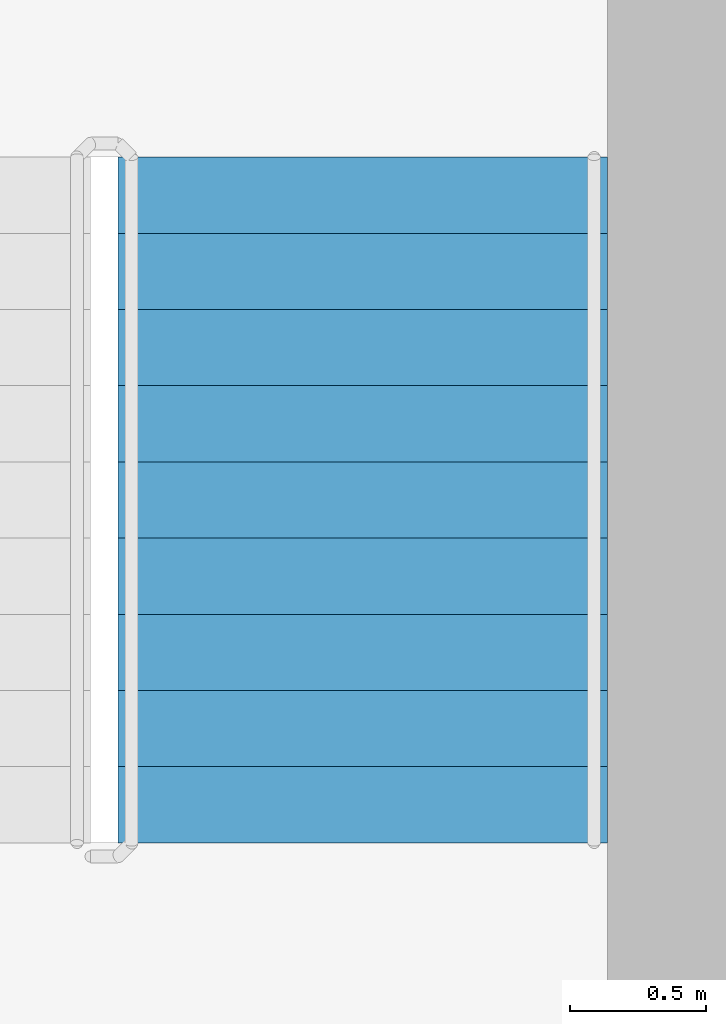
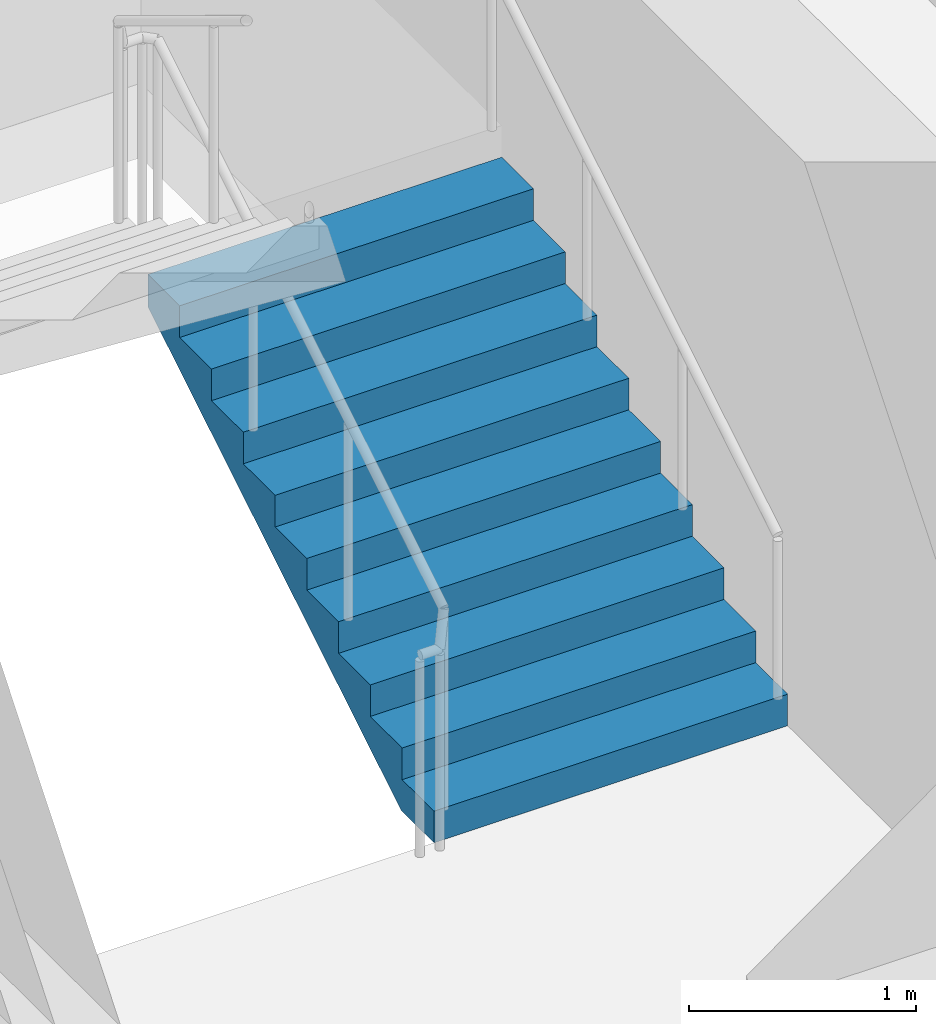
# One storey, part 11 of 13: 1 stair flight, 1 element without a shape of its own.
"""IFC4 building model written with IfcOpenShell, lengths in metres."""

import ifcopenshell
import ifcopenshell.guid

model = None  # the IFC model being written
_history = None  # IfcOwnerHistory: only IFC2X3 demands one
_inside = {}  # id of a spatial element -> (the spatial element, [elements in it])
_under = {}  # id of a project, library or spatial element -> (it, [spatial elements below it])
_declared = {}  # id of a project -> (the project, [libraries it declares])
_typed = {}  # id of a type object -> (the type object, [elements of that type])
_made_of = {}  # id of a material, layer set ... -> (it, [elements and type objects made of it])


def new_model(schema):
    """Start an empty IFC model of exactly this schema.

    Asked for "IFC4X3", IfcOpenShell would pick the latest addendum, in which some entities
    have other attributes; the version numbers below select the first issue.
    IFC2X3 requires an IfcOwnerHistory on every rooted entity: one is made here for all.
    """
    global model, _history
    if schema == "IFC4X3":
        model = ifcopenshell.file(schema_version=(4, 3, 0, 0))
    else:
        model = ifcopenshell.file(schema=schema)
    _inside.clear()
    _under.clear()
    _declared.clear()
    _typed.clear()
    _made_of.clear()
    _history = None
    if model.schema == "IFC2X3":
        org = make("IfcOrganization", Name="unknown")
        user = make(
            "IfcPersonAndOrganization",
            ThePerson=make("IfcPerson", FamilyName="unknown"),
            TheOrganization=org,
        )
        app = make(
            "IfcApplication",
            ApplicationDeveloper=org,
            Version="unknown",
            ApplicationFullName="unknown",
            ApplicationIdentifier="unknown",
        )
        _history = make(
            "IfcOwnerHistory",
            OwningUser=user,
            OwningApplication=app,
            ChangeAction="ADDED",
            CreationDate=0,
        )
    return model


def make(cls, **values):
    """One entity of the class cls with the attributes given. An attribute that is None is left unset."""
    return model.create_entity(
        cls, **{name: value for name, value in values.items() if value is not None}
    )


def rooted(cls, **values):
    """An entity with a GlobalId (a new one), such as an element, a storey or a relation."""
    return make(cls, GlobalId=ifcopenshell.guid.new(), OwnerHistory=_history, **values)


def si_unit(unit_type, name, prefix=None):
    """IfcSIUnit, for example si_unit("LENGTHUNIT", "METRE", prefix="MILLI")."""
    return make("IfcSIUnit", UnitType=unit_type, Prefix=prefix, Name=name)


def assignment(units):
    """IfcUnitAssignment: the units of a project."""
    return None if units is None else make("IfcUnitAssignment", Units=units)


def point(xyz):
    """IfcCartesianPoint."""
    return None if xyz is None else make("IfcCartesianPoint", Coordinates=xyz)


def direction(xyz):
    """IfcDirection."""
    return None if xyz is None else make("IfcDirection", DirectionRatios=xyz)


def frame(location, z_axis=None, x_axis=None):
    """IfcAxis2Placement3D, a coordinate frame: its origin and axes. An axis left out is left unset."""
    return make(
        "IfcAxis2Placement3D",
        Location=point(location),
        Axis=direction(z_axis),
        RefDirection=direction(x_axis),
    )


def origin():
    """The frame at (0, 0, 0) with its axes left unset."""
    return frame((0.0, 0.0, 0.0))


def place(relative_to, where):
    """IfcLocalPlacement: puts the frame where relative to a parent placement (None: the world)."""
    return make(
        "IfcLocalPlacement", PlacementRelTo=relative_to, RelativePlacement=where
    )


def context(
    kind, dimensions, precision=None, world=None, true_north=None, identifier=None
):
    """IfcGeometricRepresentationContext, for example the 3D "Model" context."""
    return make(
        "IfcGeometricRepresentationContext",
        ContextIdentifier=identifier,
        ContextType=kind,
        CoordinateSpaceDimension=dimensions,
        Precision=precision,
        WorldCoordinateSystem=world,
        TrueNorth=true_north,
    )


def subcontext(parent, identifier, kind, view, scale=None):
    """IfcGeometricRepresentationSubContext, for example "Body" below "Model"."""
    return make(
        "IfcGeometricRepresentationSubContext",
        ContextIdentifier=identifier,
        ContextType=kind,
        ParentContext=parent,
        TargetScale=scale,
        TargetView=view,
    )


def project(units=None, contexts=None):
    """IfcProject with its units and contexts."""
    return rooted(
        "IfcProject",
        Name="project",
        RepresentationContexts=contexts,
        UnitsInContext=assignment(units),
    )


def spatial(cls, under=None, at=None, **own):
    """A site, building, storey or space (cls), placed at a placement, below another one or the project."""
    s = rooted(cls, ObjectPlacement=at, **own)
    if under is not None:
        _under.setdefault(under.id(), (under, []))[1].append(s)
    return s


def point_list(points):
    """IfcCartesianPointList2D or 3D."""
    cls = (
        "IfcCartesianPointList2D" if len(points[0]) == 2 else "IfcCartesianPointList3D"
    )
    return make(cls, CoordList=points)


def triangles(points, corners, closed=None, point_numbers=None):
    """IfcTriangulatedFaceSet: each triangle names its three corners, points numbered from 1."""
    return make(
        "IfcTriangulatedFaceSet",
        Coordinates=point_list(points),
        Closed=closed,
        CoordIndex=corners,
        PnIndex=point_numbers,
    )


def shape(context_of_items, identifier, shape_type, items):
    """IfcShapeRepresentation: the items that make up one representation, for example the "Body"."""
    return make(
        "IfcShapeRepresentation",
        ContextOfItems=context_of_items,
        RepresentationIdentifier=identifier,
        RepresentationType=shape_type,
        Items=items,
    )


def source(mapping_origin, context_of_items, identifier, shape_type, items):
    """IfcRepresentationMap: a shape defined once, which mapped items show again and again."""
    return make(
        "IfcRepresentationMap",
        MappingOrigin=mapping_origin,
        MappedRepresentation=shape(context_of_items, identifier, shape_type, items),
    )


def transform(
    local_origin,
    x_axis=None,
    y_axis=None,
    z_axis=None,
    scale=None,
    scale2=None,
    scale3=None,
    uniform=True,
):
    """IfcCartesianTransformationOperator3D, or its non-uniform kind. x_axis, y_axis, z_axis: its Axis1, 2, 3."""
    if uniform:
        return make(
            "IfcCartesianTransformationOperator3D",
            Axis1=direction(x_axis),
            Axis2=direction(y_axis),
            LocalOrigin=point(local_origin),
            Scale=scale,
            Axis3=direction(z_axis),
        )
    return make(
        "IfcCartesianTransformationOperator3DnonUniform",
        Axis1=direction(x_axis),
        Axis2=direction(y_axis),
        LocalOrigin=point(local_origin),
        Scale=scale,
        Axis3=direction(z_axis),
        Scale2=scale2,
        Scale3=scale3,
    )


def mapped(mapping_source, mapping_target):
    """IfcMappedItem: shows the shape of a source again, moved by a transform."""
    return make(
        "IfcMappedItem", MappingSource=mapping_source, MappingTarget=mapping_target
    )


def material(Name=None, Category=None):
    """IfcMaterial."""
    return make("IfcMaterial", Name=Name, Category=Category)


def made_of(thing, what):
    """Note that an element or type object is made of a material, layer set ...; save() writes the relation."""
    if what is not None:
        _made_of.setdefault(what.id(), (what, []))[1].append(thing)
    return thing


def type_object(cls, material=None, **own):
    """A type object (cls), such as IfcWallType, which elements share."""
    return made_of(rooted(cls, **own), material)


def element(
    cls,
    number,
    at=None,
    inside=None,
    cuts=None,
    type_object=None,
    material=None,
    context=None,
    identifier="Body",
    shape_type=None,
    held_by="IfcProductDefinitionShape",
    body=None,
    shapes=None,
    **own,
):
    """One element of the class cls, such as IfcWall. Its Tag is "e" and its number.

    at: its placement. inside: the storey or other place that contains it. cuts: it is an
    opening in that element (IfcRelVoidsElement). A single representation is given by context,
    identifier, shape_type and body (its items); several are given by shapes. held_by: the class
    of the entity that holds the representations. save() writes the other relations.
    """
    e = rooted(cls, Tag="e%d" % number, ObjectPlacement=at, **own)
    if body is not None:
        shapes = [shape(context, identifier, shape_type, body)]
    if shapes is not None:
        e.Representation = make(held_by, Representations=shapes)
    if inside is not None:
        _inside.setdefault(inside.id(), (inside, []))[1].append(e)
    if cuts is not None:
        rooted(
            "IfcRelVoidsElement", RelatingBuildingElement=cuts, RelatedOpeningElement=e
        )
    if type_object is not None:
        _typed.setdefault(type_object.id(), (type_object, []))[1].append(e)
    return made_of(e, material)


def aggregate(whole, parts):
    """IfcRelAggregates: a whole, such as a stair, and the parts it consists of."""
    return rooted("IfcRelAggregates", RelatingObject=whole, RelatedObjects=parts)


def save(model, path):
    """Write the relations noted so far, then the file.

    IfcRelAggregates (storeys below a building ...), IfcRelContainedInSpatialStructure (elements
    in a storey), IfcRelDefinesByType, IfcRelAssociatesMaterial and IfcRelDeclares: one each for
    every whole, place, type object, material and project.
    """
    for whole, parts in _under.values():
        aggregate(whole, parts)
    for where, things in _inside.values():
        rooted(
            "IfcRelContainedInSpatialStructure",
            RelatedElements=things,
            RelatingStructure=where,
        )
    for kind, things in _typed.values():
        rooted("IfcRelDefinesByType", RelatedObjects=things, RelatingType=kind)
    for what, things in _made_of.values():
        rooted("IfcRelAssociatesMaterial", RelatedObjects=things, RelatingMaterial=what)
    for by, libraries in _declared.values():
        rooted("IfcRelDeclares", RelatingContext=by, RelatedDefinitions=libraries)
    model.write(path)


model = new_model("IFC4")

# Units and contexts
model_context = context("Model", 3, precision=1e-05, world=origin(), true_north=direction((0.0, 1.0)))
body_context = subcontext(model_context, "Body", "Model", "MODEL_VIEW")
ifc_project = project(units=[si_unit("LENGTHUNIT", "METRE"), si_unit("AREAUNIT", "SQUARE_METRE"), si_unit("VOLUMEUNIT", "CUBIC_METRE"), si_unit("PLANEANGLEUNIT", "RADIAN"), si_unit("MASSUNIT", "GRAM", prefix="KILO")], contexts=[model_context])

# Site, building, storey
site_placement = place(None, origin())
site = spatial("IfcSite", under=ifc_project, at=site_placement, CompositionType="ELEMENT")
building_placement = place(site_placement, origin())
building = spatial("IfcBuilding", under=site, at=building_placement, Name="Kilnfold Tower and Market Hall", CompositionType="ELEMENT")
storey_placement = place(building_placement, frame((0.0, 0.0, 267.0)))
storey = spatial("IfcBuildingStorey", under=building, at=storey_placement, Name="L65", CompositionType="ELEMENT", Elevation=267.0)

# Stair, stair flight
ifc_material_1 = material(Name="Concrete C40/50", Category="concrete")
stair_type = type_object("IfcStairType", Name="CORE STAIR 1800", PredefinedType="HALF_TURN_STAIR", material=ifc_material_1)
stair_placement = place(storey_placement, origin())
stair = element("IfcStair", 1, at=stair_placement, inside=storey, type_object=stair_type, Name="L65 ST2", PredefinedType="HALF_TURN_STAIR")
ifc_material_2 = material(Name="Concrete C40/50", Category="concrete")
stair_flight_type = type_object("IfcStairFlightType", Name="CORE STAIR FLIGHT 1800", PredefinedType="STRAIGHT", material=ifc_material_2)
shared_shape = source(origin(), body_context, "Body", "Tessellation", [
    triangles([(0.0, 0.89990234375, 0.0), (0.0, 0.78759765625, 0.0), (0.0, 0.675048828125, 0.0), (0.0, 0.5625, 0.0), (0.0, 0.449951171875, 0.0), (0.0, 0.33740234375, 0.0), (0.0, 0.22509765625, 0.0), (0.0, 0.112548828125, 0.0), (0.0, 0.0, 0.0), (0.0, -0.112548828125, 0.0), (0.0, -0.22509765625, 0.0), (0.0, -0.33740234375, 0.0), (0.0, -0.449951171875, 0.0), (0.0, -0.5625, 0.0), (0.0, -0.675048828125, 0.0), (0.0, -0.78759765625, 0.0), (0.0, -0.89990234375, 0.0), (0.0, 0.89990234375, 0.169921875), (0.0, 0.78759765625, 0.169921875), (0.0, 0.675048828125, 0.169921875), (0.0, 0.5625, 0.169921875), (0.0, 0.449951171875, 0.169921875), (0.0, 0.33740234375, 0.169921875), (0.0, 0.22509765625, 0.169921875), (0.0, 0.112548828125, 0.169921875), (0.0, 0.0, 0.169921875), (0.0, -0.112548828125, 0.169921875), (0.0, -0.22509765625, 0.169921875), (0.0, -0.33740234375, 0.169921875), (0.0, -0.449951171875, 0.169921875), (0.0, -0.5625, 0.169921875), (0.0, -0.675048828125, 0.169921875), (0.0, -0.78759765625, 0.169921875), (0.0, -0.89990234375, 0.169921875), (0.280029296875, 0.89990234375, 0.169921875), (0.280029296875, 0.78759765625, 0.169921875), (0.280029296875, 0.675048828125, 0.169921875), (0.280029296875, 0.5625, 0.169921875), (0.280029296875, 0.449951171875, 0.169921875), (0.280029296875, 0.33740234375, 0.169921875), (0.280029296875, 0.22509765625, 0.169921875), (0.280029296875, 0.112548828125, 0.169921875), (0.280029296875, 0.0, 0.169921875), (0.280029296875, -0.112548828125, 0.169921875), (0.280029296875, -0.22509765625, 0.169921875), (0.280029296875, -0.33740234375, 0.169921875), (0.280029296875, -0.449951171875, 0.169921875), (0.280029296875, -0.5625, 0.169921875), (0.280029296875, -0.675048828125, 0.169921875), (0.280029296875, -0.78759765625, 0.169921875), (0.280029296875, -0.89990234375, 0.169921875), (0.280029296875, 0.89990234375, 0.340087890625), (0.280029296875, 0.78759765625, 0.340087890625), (0.280029296875, 0.675048828125, 0.340087890625), (0.280029296875, 0.5625, 0.340087890625), (0.280029296875, 0.449951171875, 0.340087890625), (0.280029296875, 0.33740234375, 0.340087890625), (0.280029296875, 0.22509765625, 0.340087890625), (0.280029296875, 0.112548828125, 0.340087890625), (0.280029296875, 0.0, 0.340087890625), (0.280029296875, -0.112548828125, 0.340087890625), (0.280029296875, -0.22509765625, 0.340087890625), (0.280029296875, -0.33740234375, 0.340087890625), (0.280029296875, -0.449951171875, 0.340087890625), (0.280029296875, -0.5625, 0.340087890625), (0.280029296875, -0.675048828125, 0.340087890625), (0.280029296875, -0.78759765625, 0.340087890625), (0.280029296875, -0.89990234375, 0.340087890625), (0.56005859375, 0.89990234375, 0.340087890625), (0.56005859375, 0.78759765625, 0.340087890625), (0.56005859375, 0.675048828125, 0.340087890625), (0.56005859375, 0.5625, 0.340087890625), (0.56005859375, 0.449951171875, 0.340087890625), (0.56005859375, 0.33740234375, 0.340087890625), (0.56005859375, 0.22509765625, 0.340087890625), (0.56005859375, 0.112548828125, 0.340087890625), (0.56005859375, 0.0, 0.340087890625), (0.56005859375, -0.112548828125, 0.340087890625), (0.56005859375, -0.22509765625, 0.340087890625), (0.56005859375, -0.33740234375, 0.340087890625), (0.56005859375, -0.449951171875, 0.340087890625), (0.56005859375, -0.5625, 0.340087890625), (0.56005859375, -0.675048828125, 0.340087890625), (0.56005859375, -0.78759765625, 0.340087890625), (0.56005859375, -0.89990234375, 0.340087890625), (0.56005859375, 0.89990234375, 0.510009765625), (0.56005859375, 0.78759765625, 0.510009765625), (0.56005859375, 0.675048828125, 0.510009765625), (0.56005859375, 0.5625, 0.510009765625), (0.56005859375, 0.449951171875, 0.510009765625), (0.56005859375, 0.33740234375, 0.510009765625), (0.56005859375, 0.22509765625, 0.510009765625), (0.56005859375, 0.112548828125, 0.510009765625), (0.56005859375, 0.0, 0.510009765625), (0.56005859375, -0.112548828125, 0.510009765625), (0.56005859375, -0.22509765625, 0.510009765625), (0.56005859375, -0.33740234375, 0.510009765625), (0.56005859375, -0.449951171875, 0.510009765625), (0.56005859375, -0.5625, 0.510009765625), (0.56005859375, -0.675048828125, 0.510009765625), (0.56005859375, -0.78759765625, 0.510009765625), (0.56005859375, -0.89990234375, 0.510009765625), (0.840087890625, 0.89990234375, 0.510009765625), (0.840087890625, 0.78759765625, 0.510009765625), (0.840087890625, 0.675048828125, 0.510009765625), (0.840087890625, 0.5625, 0.510009765625), (0.840087890625, 0.449951171875, 0.510009765625), (0.840087890625, 0.33740234375, 0.510009765625), (0.840087890625, 0.22509765625, 0.510009765625), (0.840087890625, 0.112548828125, 0.510009765625), (0.840087890625, 0.0, 0.510009765625), (0.840087890625, -0.112548828125, 0.510009765625), (0.840087890625, -0.22509765625, 0.510009765625), (0.840087890625, -0.33740234375, 0.510009765625), (0.840087890625, -0.449951171875, 0.510009765625), (0.840087890625, -0.5625, 0.510009765625), (0.840087890625, -0.675048828125, 0.510009765625), (0.840087890625, -0.78759765625, 0.510009765625), (0.840087890625, -0.89990234375, 0.510009765625), (0.840087890625, 0.89990234375, 0.679931640625), (0.840087890625, 0.78759765625, 0.679931640625), (0.840087890625, 0.675048828125, 0.679931640625), (0.840087890625, 0.5625, 0.679931640625), (0.840087890625, 0.449951171875, 0.679931640625), (0.840087890625, 0.33740234375, 0.679931640625), (0.840087890625, 0.22509765625, 0.679931640625), (0.840087890625, 0.112548828125, 0.679931640625), (0.840087890625, 0.0, 0.679931640625), (0.840087890625, -0.112548828125, 0.679931640625), (0.840087890625, -0.22509765625, 0.679931640625), (0.840087890625, -0.33740234375, 0.679931640625), (0.840087890625, -0.449951171875, 0.679931640625), (0.840087890625, -0.5625, 0.679931640625), (0.840087890625, -0.675048828125, 0.679931640625), (0.840087890625, -0.78759765625, 0.679931640625), (0.840087890625, -0.89990234375, 0.679931640625), (1.1201171875, 0.89990234375, 0.679931640625), (1.1201171875, 0.78759765625, 0.679931640625), (1.1201171875, 0.675048828125, 0.679931640625), (1.1201171875, 0.5625, 0.679931640625), (1.1201171875, 0.449951171875, 0.679931640625), (1.1201171875, 0.33740234375, 0.679931640625), (1.1201171875, 0.22509765625, 0.679931640625), (1.1201171875, 0.112548828125, 0.679931640625), (1.1201171875, 0.0, 0.679931640625), (1.1201171875, -0.112548828125, 0.679931640625), (1.1201171875, -0.22509765625, 0.679931640625), (1.1201171875, -0.33740234375, 0.679931640625), (1.1201171875, -0.449951171875, 0.679931640625), (1.1201171875, -0.5625, 0.679931640625), (1.1201171875, -0.675048828125, 0.679931640625), (1.1201171875, -0.78759765625, 0.679931640625), (1.1201171875, -0.89990234375, 0.679931640625), (1.1201171875, 0.89990234375, 0.85009765625), (1.1201171875, 0.78759765625, 0.85009765625), (1.1201171875, 0.675048828125, 0.85009765625), (1.1201171875, 0.5625, 0.85009765625), (1.1201171875, 0.449951171875, 0.85009765625), (1.1201171875, 0.33740234375, 0.85009765625), (1.1201171875, 0.22509765625, 0.85009765625), (1.1201171875, 0.112548828125, 0.85009765625), (1.1201171875, 0.0, 0.85009765625), (1.1201171875, -0.112548828125, 0.85009765625), (1.1201171875, -0.22509765625, 0.85009765625), (1.1201171875, -0.33740234375, 0.85009765625), (1.1201171875, -0.449951171875, 0.85009765625), (1.1201171875, -0.5625, 0.85009765625), (1.1201171875, -0.675048828125, 0.85009765625), (1.1201171875, -0.78759765625, 0.85009765625), (1.1201171875, -0.89990234375, 0.85009765625), (1.39990234375, 0.89990234375, 0.85009765625), (1.39990234375, 0.78759765625, 0.85009765625), (1.39990234375, 0.675048828125, 0.85009765625), (1.39990234375, 0.5625, 0.85009765625), (1.39990234375, 0.449951171875, 0.85009765625), (1.39990234375, 0.33740234375, 0.85009765625), (1.39990234375, 0.22509765625, 0.85009765625), (1.39990234375, 0.112548828125, 0.85009765625), (1.39990234375, 0.0, 0.85009765625), (1.39990234375, -0.112548828125, 0.85009765625), (1.39990234375, -0.22509765625, 0.85009765625), (1.39990234375, -0.33740234375, 0.85009765625), (1.39990234375, -0.449951171875, 0.85009765625), (1.39990234375, -0.5625, 0.85009765625), (1.39990234375, -0.675048828125, 0.85009765625), (1.39990234375, -0.78759765625, 0.85009765625), (1.39990234375, -0.89990234375, 0.85009765625), (1.39990234375, 0.89990234375, 1.02001953125), (1.39990234375, 0.78759765625, 1.02001953125), (1.39990234375, 0.675048828125, 1.02001953125), (1.39990234375, 0.5625, 1.02001953125), (1.39990234375, 0.449951171875, 1.02001953125), (1.39990234375, 0.33740234375, 1.02001953125), (1.39990234375, 0.22509765625, 1.02001953125), (1.39990234375, 0.112548828125, 1.02001953125), (1.39990234375, 0.0, 1.02001953125), (1.39990234375, -0.112548828125, 1.02001953125), (1.39990234375, -0.22509765625, 1.02001953125), (1.39990234375, -0.33740234375, 1.02001953125), (1.39990234375, -0.449951171875, 1.02001953125), (1.39990234375, -0.5625, 1.02001953125), (1.39990234375, -0.675048828125, 1.02001953125), (1.39990234375, -0.78759765625, 1.02001953125), (1.39990234375, -0.89990234375, 1.02001953125), (1.679931640625, 0.89990234375, 1.02001953125), (1.679931640625, 0.78759765625, 1.02001953125), (1.679931640625, 0.675048828125, 1.02001953125), (1.679931640625, 0.5625, 1.02001953125), (1.679931640625, 0.449951171875, 1.02001953125), (1.679931640625, 0.33740234375, 1.02001953125), (1.679931640625, 0.22509765625, 1.02001953125), (1.679931640625, 0.112548828125, 1.02001953125), (1.679931640625, 0.0, 1.02001953125), (1.679931640625, -0.112548828125, 1.02001953125), (1.679931640625, -0.22509765625, 1.02001953125), (1.679931640625, -0.33740234375, 1.02001953125), (1.679931640625, -0.449951171875, 1.02001953125), (1.679931640625, -0.5625, 1.02001953125), (1.679931640625, -0.675048828125, 1.02001953125), (1.679931640625, -0.78759765625, 1.02001953125), (1.679931640625, -0.89990234375, 1.02001953125), (1.679931640625, 0.89990234375, 1.18994140625), (1.679931640625, 0.78759765625, 1.18994140625), (1.679931640625, 0.675048828125, 1.18994140625), (1.679931640625, 0.5625, 1.18994140625), (1.679931640625, 0.449951171875, 1.18994140625), (1.679931640625, 0.33740234375, 1.18994140625), (1.679931640625, 0.22509765625, 1.18994140625), (1.679931640625, 0.112548828125, 1.18994140625), (1.679931640625, 0.0, 1.18994140625), (1.679931640625, -0.112548828125, 1.18994140625), (1.679931640625, -0.22509765625, 1.18994140625), (1.679931640625, -0.33740234375, 1.18994140625), (1.679931640625, -0.449951171875, 1.18994140625), (1.679931640625, -0.5625, 1.18994140625), (1.679931640625, -0.675048828125, 1.18994140625), (1.679931640625, -0.78759765625, 1.18994140625), (1.679931640625, -0.89990234375, 1.18994140625), (1.9599609375, 0.89990234375, 1.18994140625), (1.9599609375, 0.78759765625, 1.18994140625), (1.9599609375, 0.675048828125, 1.18994140625), (1.9599609375, 0.5625, 1.18994140625), (1.9599609375, 0.449951171875, 1.18994140625), (1.9599609375, 0.33740234375, 1.18994140625), (1.9599609375, 0.22509765625, 1.18994140625), (1.9599609375, 0.112548828125, 1.18994140625), (1.9599609375, 0.0, 1.18994140625), (1.9599609375, -0.112548828125, 1.18994140625), (1.9599609375, -0.22509765625, 1.18994140625), (1.9599609375, -0.33740234375, 1.18994140625), (1.9599609375, -0.449951171875, 1.18994140625), (1.9599609375, -0.5625, 1.18994140625), (1.9599609375, -0.675048828125, 1.18994140625), (1.9599609375, -0.78759765625, 1.18994140625), (1.9599609375, -0.89990234375, 1.18994140625), (1.9599609375, 0.89990234375, 1.360107421875), (1.9599609375, 0.78759765625, 1.360107421875), (1.9599609375, 0.675048828125, 1.360107421875), (1.9599609375, 0.5625, 1.360107421875), (1.9599609375, 0.449951171875, 1.360107421875), (1.9599609375, 0.33740234375, 1.360107421875), (1.9599609375, 0.22509765625, 1.360107421875), (1.9599609375, 0.112548828125, 1.360107421875), (1.9599609375, 0.0, 1.360107421875), (1.9599609375, -0.112548828125, 1.360107421875), (1.9599609375, -0.22509765625, 1.360107421875), (1.9599609375, -0.33740234375, 1.360107421875), (1.9599609375, -0.449951171875, 1.360107421875), (1.9599609375, -0.5625, 1.360107421875), (1.9599609375, -0.675048828125, 1.360107421875), (1.9599609375, -0.78759765625, 1.360107421875), (1.9599609375, -0.89990234375, 1.360107421875), (2.239990234375, 0.89990234375, 1.360107421875), (2.239990234375, 0.78759765625, 1.360107421875), (2.239990234375, 0.675048828125, 1.360107421875), (2.239990234375, 0.5625, 1.360107421875), (2.239990234375, 0.449951171875, 1.360107421875), (2.239990234375, 0.33740234375, 1.360107421875), (2.239990234375, 0.22509765625, 1.360107421875), (2.239990234375, 0.112548828125, 1.360107421875), (2.239990234375, 0.0, 1.360107421875), (2.239990234375, -0.112548828125, 1.360107421875), (2.239990234375, -0.22509765625, 1.360107421875), (2.239990234375, -0.33740234375, 1.360107421875), (2.239990234375, -0.449951171875, 1.360107421875), (2.239990234375, -0.5625, 1.360107421875), (2.239990234375, -0.675048828125, 1.360107421875), (2.239990234375, -0.78759765625, 1.360107421875), (2.239990234375, -0.89990234375, 1.360107421875), (2.239990234375, 0.89990234375, 1.530029296875), (2.239990234375, 0.78759765625, 1.530029296875), (2.239990234375, 0.675048828125, 1.530029296875), (2.239990234375, 0.5625, 1.530029296875), (2.239990234375, 0.449951171875, 1.530029296875), (2.239990234375, 0.33740234375, 1.530029296875), (2.239990234375, 0.22509765625, 1.530029296875), (2.239990234375, 0.112548828125, 1.530029296875), (2.239990234375, 0.0, 1.530029296875), (2.239990234375, -0.112548828125, 1.530029296875), (2.239990234375, -0.22509765625, 1.530029296875), (2.239990234375, -0.33740234375, 1.530029296875), (2.239990234375, -0.449951171875, 1.530029296875), (2.239990234375, -0.5625, 1.530029296875), (2.239990234375, -0.675048828125, 1.530029296875), (2.239990234375, -0.78759765625, 1.530029296875), (2.239990234375, -0.89990234375, 1.530029296875), (2.52001953125, 0.89990234375, 1.530029296875), (2.52001953125, 0.78759765625, 1.530029296875), (2.52001953125, 0.675048828125, 1.530029296875), (2.52001953125, 0.5625, 1.530029296875), (2.52001953125, 0.449951171875, 1.530029296875), (2.52001953125, 0.33740234375, 1.530029296875), (2.52001953125, 0.22509765625, 1.530029296875), (2.52001953125, 0.112548828125, 1.530029296875), (2.52001953125, 0.0, 1.530029296875), (2.52001953125, -0.112548828125, 1.530029296875), (2.52001953125, -0.22509765625, 1.530029296875), (2.52001953125, -0.33740234375, 1.530029296875), (2.52001953125, -0.449951171875, 1.530029296875), (2.52001953125, -0.5625, 1.530029296875), (2.52001953125, -0.675048828125, 1.530029296875), (2.52001953125, -0.78759765625, 1.530029296875), (2.52001953125, -0.89990234375, 1.530029296875), (2.52001953125, 0.89990234375, 1.354736328125), (2.52001953125, 0.78759765625, 1.354736328125), (2.52001953125, 0.675048828125, 1.354736328125), (2.52001953125, 0.5625, 1.354736328125), (2.52001953125, 0.449951171875, 1.354736328125), (2.52001953125, 0.33740234375, 1.354736328125), (2.52001953125, 0.22509765625, 1.354736328125), (2.52001953125, 0.112548828125, 1.354736328125), (2.52001953125, 0.0, 1.354736328125), (2.52001953125, -0.112548828125, 1.354736328125), (2.52001953125, -0.22509765625, 1.354736328125), (2.52001953125, -0.33740234375, 1.354736328125), (2.52001953125, -0.449951171875, 1.354736328125), (2.52001953125, -0.5625, 1.354736328125), (2.52001953125, -0.675048828125, 1.354736328125), (2.52001953125, -0.78759765625, 1.354736328125), (2.52001953125, -0.89990234375, 1.354736328125), (0.288818359375, 0.89990234375, 0.0), (0.288818359375, 0.78759765625, 0.0), (0.288818359375, 0.675048828125, 0.0), (0.288818359375, 0.5625, 0.0), (0.288818359375, 0.449951171875, 0.0), (0.288818359375, 0.33740234375, 0.0), (0.288818359375, 0.22509765625, 0.0), (0.288818359375, 0.112548828125, 0.0), (0.288818359375, 0.0, 0.0), (0.288818359375, -0.112548828125, 0.0), (0.288818359375, -0.22509765625, 0.0), (0.288818359375, -0.33740234375, 0.0), (0.288818359375, -0.449951171875, 0.0), (0.288818359375, -0.5625, 0.0), (0.288818359375, -0.675048828125, 0.0), (0.288818359375, -0.78759765625, 0.0), (0.288818359375, -0.89990234375, 0.0)], [[1, 324, 341], [17, 357, 340], [324, 290, 307], [340, 323, 306], [324, 273, 290], [340, 306, 289], [324, 256, 273], [340, 289, 272], [324, 239, 256], [340, 272, 255], [239, 205, 222], [255, 238, 221], [324, 205, 239], [340, 255, 221], [205, 171, 188], [221, 204, 187], [324, 171, 205], [340, 221, 187], [171, 137, 154], [187, 170, 153], [324, 137, 171], [340, 187, 153], [137, 103, 120], [153, 136, 119], [324, 103, 137], [340, 153, 119], [103, 69, 86], [119, 102, 85], [324, 69, 103], [340, 119, 85], [69, 35, 52], [85, 68, 51], [324, 35, 69], [340, 85, 51], [1, 35, 324], [17, 340, 51], [35, 1, 18], [51, 34, 17], [1, 19, 18], [1, 2, 19], [2, 20, 19], [2, 3, 20], [3, 21, 20], [3, 4, 21], [4, 22, 21], [4, 5, 22], [5, 23, 22], [5, 6, 23], [6, 24, 23], [6, 7, 24], [7, 25, 24], [7, 8, 25], [8, 26, 25], [8, 9, 26], [9, 27, 26], [9, 10, 27], [10, 28, 27], [10, 11, 28], [11, 29, 28], [11, 12, 29], [12, 30, 29], [12, 13, 30], [13, 31, 30], [13, 14, 31], [14, 32, 31], [14, 15, 32], [15, 33, 32], [15, 16, 33], [16, 34, 33], [16, 17, 34], [18, 36, 35], [18, 19, 36], [19, 37, 36], [19, 20, 37], [20, 38, 37], [20, 21, 38], [21, 39, 38], [21, 22, 39], [22, 40, 39], [22, 23, 40], [23, 41, 40], [23, 24, 41], [24, 42, 41], [24, 25, 42], [25, 43, 42], [25, 26, 43], [26, 44, 43], [26, 27, 44], [27, 45, 44], [27, 28, 45], [28, 46, 45], [28, 29, 46], [29, 47, 46], [29, 30, 47], [30, 48, 47], [30, 31, 48], [31, 49, 48], [31, 32, 49], [32, 50, 49], [32, 33, 50], [33, 51, 50], [33, 34, 51], [35, 53, 52], [35, 36, 53], [36, 54, 53], [36, 37, 54], [37, 55, 54], [37, 38, 55], [38, 56, 55], [38, 39, 56], [39, 57, 56], [39, 40, 57], [40, 58, 57], [40, 41, 58], [41, 59, 58], [41, 42, 59], [42, 60, 59], [42, 43, 60], [43, 61, 60], [43, 44, 61], [44, 62, 61], [44, 45, 62], [45, 63, 62], [45, 46, 63], [46, 64, 63], [46, 47, 64], [47, 65, 64], [47, 48, 65], [48, 66, 65], [48, 49, 66], [49, 67, 66], [49, 50, 67], [50, 68, 67], [50, 51, 68], [52, 70, 69], [52, 53, 70], [53, 71, 70], [53, 54, 71], [54, 72, 71], [54, 55, 72], [55, 73, 72], [55, 56, 73], [56, 74, 73], [56, 57, 74], [57, 75, 74], [57, 58, 75], [58, 76, 75], [58, 59, 76], [59, 77, 76], [59, 60, 77], [60, 78, 77], [60, 61, 78], [61, 79, 78], [61, 62, 79], [62, 80, 79], [62, 63, 80], [63, 81, 80], [63, 64, 81], [64, 82, 81], [64, 65, 82], [65, 83, 82], [65, 66, 83], [66, 84, 83], [66, 67, 84], [67, 85, 84], [67, 68, 85], [69, 87, 86], [69, 70, 87], [70, 88, 87], [70, 71, 88], [71, 89, 88], [71, 72, 89], [72, 90, 89], [72, 73, 90], [73, 91, 90], [73, 74, 91], [74, 92, 91], [74, 75, 92], [75, 93, 92], [75, 76, 93], [76, 94, 93], [76, 77, 94], [77, 95, 94], [77, 78, 95], [78, 96, 95], [78, 79, 96], [79, 97, 96], [79, 80, 97], [80, 98, 97], [80, 81, 98], [81, 99, 98], [81, 82, 99], [82, 100, 99], [82, 83, 100], [83, 101, 100], [83, 84, 101], [84, 102, 101], [84, 85, 102], [86, 104, 103], [86, 87, 104], [87, 105, 104], [87, 88, 105], [88, 106, 105], [88, 89, 106], [89, 107, 106], [89, 90, 107], [90, 108, 107], [90, 91, 108], [91, 109, 108], [91, 92, 109], [92, 110, 109], [92, 93, 110], [93, 111, 110], [93, 94, 111], [94, 112, 111], [94, 95, 112], [95, 113, 112], [95, 96, 113], [96, 114, 113], [96, 97, 114], [97, 115, 114], [97, 98, 115], [98, 116, 115], [98, 99, 116], [99, 117, 116], [99, 100, 117], [100, 118, 117], [100, 101, 118], [101, 119, 118], [101, 102, 119], [103, 121, 120], [103, 104, 121], [104, 122, 121], [104, 105, 122], [105, 123, 122], [105, 106, 123], [106, 124, 123], [106, 107, 124], [107, 125, 124], [107, 108, 125], [108, 126, 125], [108, 109, 126], [109, 127, 126], [109, 110, 127], [110, 128, 127], [110, 111, 128], [111, 129, 128], [111, 112, 129], [112, 130, 129], [112, 113, 130], [113, 131, 130], [113, 114, 131], [114, 132, 131], [114, 115, 132], [115, 133, 132], [115, 116, 133], [116, 134, 133], [116, 117, 134], [117, 135, 134], [117, 118, 135], [118, 136, 135], [118, 119, 136], [120, 138, 137], [120, 121, 138], [121, 139, 138], [121, 122, 139], [122, 140, 139], [122, 123, 140], [123, 141, 140], [123, 124, 141], [124, 142, 141], [124, 125, 142], [125, 143, 142], [125, 126, 143], [126, 144, 143], [126, 127, 144], [127, 145, 144], [127, 128, 145], [128, 146, 145], [128, 129, 146], [129, 147, 146], [129, 130, 147], [130, 148, 147], [130, 131, 148], [131, 149, 148], [131, 132, 149], [132, 150, 149], [132, 133, 150], [133, 151, 150], [133, 134, 151], [134, 152, 151], [134, 135, 152], [135, 153, 152], [135, 136, 153], [137, 155, 154], [137, 138, 155], [138, 156, 155], [138, 139, 156], [139, 157, 156], [139, 140, 157], [140, 158, 157], [140, 141, 158], [141, 159, 158], [141, 142, 159], [142, 160, 159], [142, 143, 160], [143, 161, 160], [143, 144, 161], [144, 162, 161], [144, 145, 162], [145, 163, 162], [145, 146, 163], [146, 164, 163], [146, 147, 164], [147, 165, 164], [147, 148, 165], [148, 166, 165], [148, 149, 166], [149, 167, 166], [149, 150, 167], [150, 168, 167], [150, 151, 168], [151, 169, 168], [151, 152, 169], [152, 170, 169], [152, 153, 170], [154, 172, 171], [154, 155, 172], [155, 173, 172], [155, 156, 173], [156, 174, 173], [156, 157, 174], [157, 175, 174], [157, 158, 175], [158, 176, 175], [158, 159, 176], [159, 177, 176], [159, 160, 177], [160, 178, 177], [160, 161, 178], [161, 179, 178], [161, 162, 179], [162, 180, 179], [162, 163, 180], [163, 181, 180], [163, 164, 181], [164, 182, 181], [164, 165, 182], [165, 183, 182], [165, 166, 183], [166, 184, 183], [166, 167, 184], [167, 185, 184], [167, 168, 185], [168, 186, 185], [168, 169, 186], [169, 187, 186], [169, 170, 187], [171, 189, 188], [171, 172, 189], [172, 190, 189], [172, 173, 190], [173, 191, 190], [173, 174, 191], [174, 192, 191], [174, 175, 192], [175, 193, 192], [175, 176, 193], [176, 194, 193], [176, 177, 194], [177, 195, 194], [177, 178, 195], [178, 196, 195], [178, 179, 196], [179, 197, 196], [179, 180, 197], [180, 198, 197], [180, 181, 198], [181, 199, 198], [181, 182, 199], [182, 200, 199], [182, 183, 200], [183, 201, 200], [183, 184, 201], [184, 202, 201], [184, 185, 202], [185, 203, 202], [185, 186, 203], [186, 204, 203], [186, 187, 204], [188, 206, 205], [188, 189, 206], [189, 207, 206], [189, 190, 207], [190, 208, 207], [190, 191, 208], [191, 209, 208], [191, 192, 209], [192, 210, 209], [192, 193, 210], [193, 211, 210], [193, 194, 211], [194, 212, 211], [194, 195, 212], [195, 213, 212], [195, 196, 213], [196, 214, 213], [196, 197, 214], [197, 215, 214], [197, 198, 215], [198, 216, 215], [198, 199, 216], [199, 217, 216], [199, 200, 217], [200, 218, 217], [200, 201, 218], [201, 219, 218], [201, 202, 219], [202, 220, 219], [202, 203, 220], [203, 221, 220], [203, 204, 221], [205, 223, 222], [205, 206, 223], [206, 224, 223], [206, 207, 224], [207, 225, 224], [207, 208, 225], [208, 226, 225], [208, 209, 226], [209, 227, 226], [209, 210, 227], [210, 228, 227], [210, 211, 228], [211, 229, 228], [211, 212, 229], [212, 230, 229], [212, 213, 230], [213, 231, 230], [213, 214, 231], [214, 232, 231], [214, 215, 232], [215, 233, 232], [215, 216, 233], [216, 234, 233], [216, 217, 234], [217, 235, 234], [217, 218, 235], [218, 236, 235], [218, 219, 236], [219, 237, 236], [219, 220, 237], [220, 238, 237], [220, 221, 238], [222, 240, 239], [222, 223, 240], [223, 241, 240], [223, 224, 241], [224, 242, 241], [224, 225, 242], [225, 243, 242], [225, 226, 243], [226, 244, 243], [226, 227, 244], [227, 245, 244], [227, 228, 245], [228, 246, 245], [228, 229, 246], [229, 247, 246], [229, 230, 247], [230, 248, 247], [230, 231, 248], [231, 249, 248], [231, 232, 249], [232, 250, 249], [232, 233, 250], [233, 251, 250], [233, 234, 251], [234, 252, 251], [234, 235, 252], [235, 253, 252], [235, 236, 253], [236, 254, 253], [236, 237, 254], [237, 255, 254], [237, 238, 255], [239, 257, 256], [239, 240, 257], [240, 258, 257], [240, 241, 258], [241, 259, 258], [241, 242, 259], [242, 260, 259], [242, 243, 260], [243, 261, 260], [243, 244, 261], [244, 262, 261], [244, 245, 262], [245, 263, 262], [245, 246, 263], [246, 264, 263], [246, 247, 264], [247, 265, 264], [247, 248, 265], [248, 266, 265], [248, 249, 266], [249, 267, 266], [249, 250, 267], [250, 268, 267], [250, 251, 268], [251, 269, 268], [251, 252, 269], [252, 270, 269], [252, 253, 270], [253, 271, 270], [253, 254, 271], [254, 272, 271], [254, 255, 272], [256, 274, 273], [256, 257, 274], [257, 275, 274], [257, 258, 275], [258, 276, 275], [258, 259, 276], [259, 277, 276], [259, 260, 277], [260, 278, 277], [260, 261, 278], [261, 279, 278], [261, 262, 279], [262, 280, 279], [262, 263, 280], [263, 281, 280], [263, 264, 281], [264, 282, 281], [264, 265, 282], [265, 283, 282], [265, 266, 283], [266, 284, 283], [266, 267, 284], [267, 285, 284], [267, 268, 285], [268, 286, 285], [268, 269, 286], [269, 287, 286], [269, 270, 287], [270, 288, 287], [270, 271, 288], [271, 289, 288], [271, 272, 289], [273, 291, 290], [273, 274, 291], [274, 292, 291], [274, 275, 292], [275, 293, 292], [275, 276, 293], [276, 294, 293], [276, 277, 294], [277, 295, 294], [277, 278, 295], [278, 296, 295], [278, 279, 296], [279, 297, 296], [279, 280, 297], [280, 298, 297], [280, 281, 298], [281, 299, 298], [281, 282, 299], [282, 300, 299], [282, 283, 300], [283, 301, 300], [283, 284, 301], [284, 302, 301], [284, 285, 302], [285, 303, 302], [285, 286, 303], [286, 304, 303], [286, 287, 304], [287, 305, 304], [287, 288, 305], [288, 306, 305], [288, 289, 306], [290, 308, 307], [290, 291, 308], [291, 309, 308], [291, 292, 309], [292, 310, 309], [292, 293, 310], [293, 311, 310], [293, 294, 311], [294, 312, 311], [294, 295, 312], [295, 313, 312], [295, 296, 313], [296, 314, 313], [296, 297, 314], [297, 315, 314], [297, 298, 315], [298, 316, 315], [298, 299, 316], [299, 317, 316], [299, 300, 317], [300, 318, 317], [300, 301, 318], [301, 319, 318], [301, 302, 319], [302, 320, 319], [302, 303, 320], [303, 321, 320], [303, 304, 321], [304, 322, 321], [304, 305, 322], [305, 323, 322], [305, 306, 323], [307, 325, 324], [307, 308, 325], [308, 326, 325], [308, 309, 326], [309, 327, 326], [309, 310, 327], [310, 328, 327], [310, 311, 328], [311, 329, 328], [311, 312, 329], [312, 330, 329], [312, 313, 330], [313, 331, 330], [313, 314, 331], [314, 332, 331], [314, 315, 332], [315, 333, 332], [315, 316, 333], [316, 334, 333], [316, 317, 334], [317, 335, 334], [317, 318, 335], [318, 336, 335], [318, 319, 336], [319, 337, 336], [319, 320, 337], [320, 338, 337], [320, 321, 338], [321, 339, 338], [321, 322, 339], [322, 340, 339], [322, 323, 340], [324, 342, 341], [324, 325, 342], [325, 343, 342], [325, 326, 343], [326, 344, 343], [326, 327, 344], [327, 345, 344], [327, 328, 345], [328, 346, 345], [328, 329, 346], [329, 347, 346], [329, 330, 347], [330, 348, 347], [330, 331, 348], [331, 349, 348], [331, 332, 349], [332, 350, 349], [332, 333, 350], [333, 351, 350], [333, 334, 351], [334, 352, 351], [334, 335, 352], [335, 353, 352], [335, 336, 353], [336, 354, 353], [336, 337, 354], [337, 355, 354], [337, 338, 355], [338, 356, 355], [338, 339, 356], [339, 357, 356], [339, 340, 357], [341, 2, 1], [341, 342, 2], [342, 3, 2], [342, 343, 3], [343, 4, 3], [343, 344, 4], [344, 5, 4], [344, 345, 5], [345, 6, 5], [345, 346, 6], [346, 7, 6], [346, 347, 7], [347, 8, 7], [347, 348, 8], [348, 9, 8], [348, 349, 9], [349, 10, 9], [349, 350, 10], [350, 11, 10], [350, 351, 11], [351, 12, 11], [351, 352, 12], [352, 13, 12], [352, 353, 13], [353, 14, 13], [353, 354, 14], [354, 15, 14], [354, 355, 15], [355, 16, 15], [355, 356, 16], [356, 17, 16], [356, 357, 17]], closed=True),
])
stair_flight_placement = place(storey_placement, frame((16.199951171875, 10.800048828125, 0.0), z_axis=(0.0, 0.0, 1.0), x_axis=(0.0, 1.0, 0.0)))
stair_flight = element("IfcStairFlight", 2, at=stair_flight_placement, type_object=stair_flight_type, Name="ST2 flight 1", NumberOfRisers=10, NumberOfTreads=9, PredefinedType="STRAIGHT", RiserHeight=0.17, TreadLength=0.28, context=body_context, shape_type="MappedRepresentation", body=[
    mapped(shared_shape, transform((0.0, 0.0, 0.0))),
])
aggregate(stair, [stair_flight])

save(model, "model.ifc")
